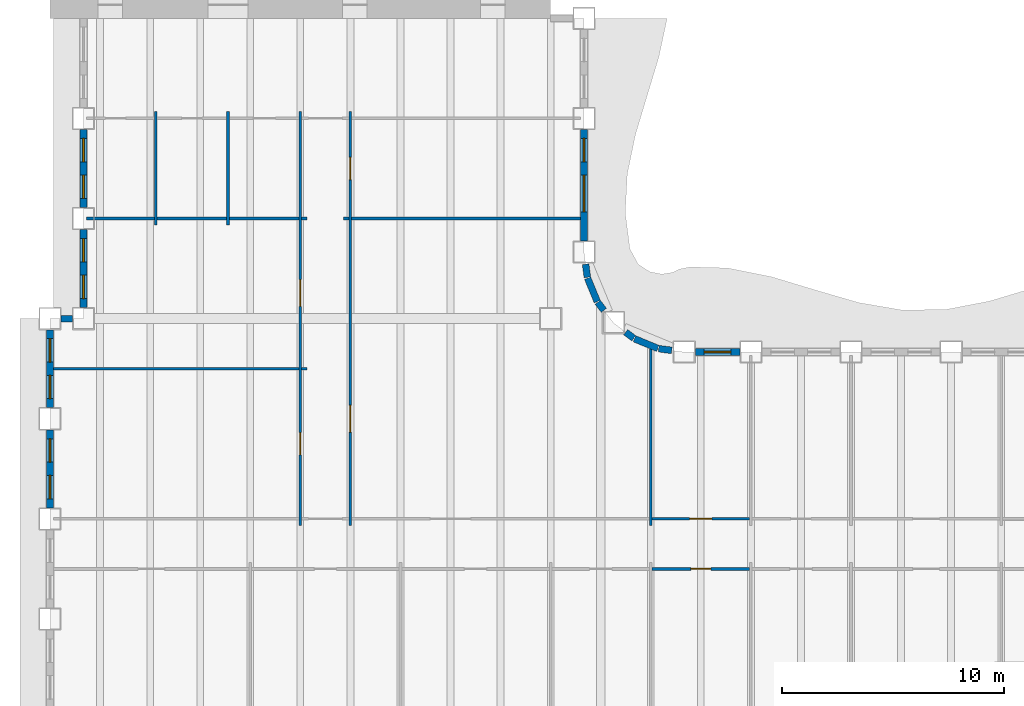
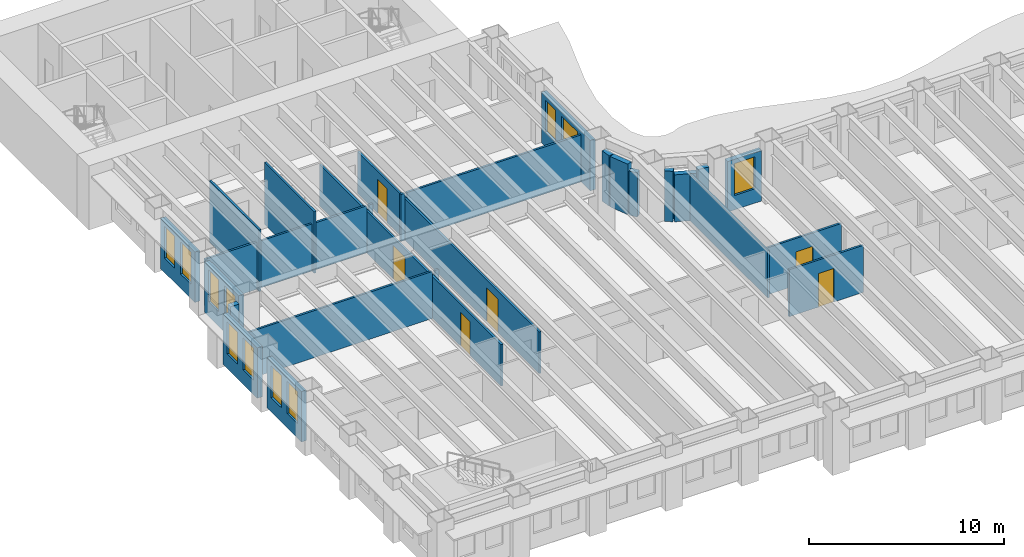
# One storey, part 4 of 16: 28 walls, 11 windows, 6 doors, 17 openings.
"""IFC4 building model written with IfcOpenShell, lengths in metres."""

from ifc_helpers import new_model, si_unit, direction, frame, frame_2d, origin, place, context, subcontext, project, spatial, rectangle, extrude, material, layer, layer_set, type_object, element, fill, save


model = new_model("IFC4")

# Units and contexts
model_context = context("Model", 3, precision=1e-05, world=origin(), true_north=direction((0.0, 1.0)))
body_context = subcontext(model_context, "Body", "Model", "MODEL_VIEW")
ifc_project = project(units=[si_unit("LENGTHUNIT", "METRE"), si_unit("AREAUNIT", "SQUARE_METRE"), si_unit("VOLUMEUNIT", "CUBIC_METRE"), si_unit("PLANEANGLEUNIT", "RADIAN"), si_unit("MASSUNIT", "GRAM", prefix="KILO")], contexts=[model_context])

# Site, building, storey
site_placement = place(None, origin())
site = spatial("IfcSite", under=ifc_project, at=site_placement, CompositionType="ELEMENT")
building_placement = place(site_placement, origin())
building = spatial("IfcBuilding", under=site, at=building_placement, Name="Sennacour Bend Tower", CompositionType="ELEMENT")
storey_placement = place(building_placement, frame((0.0, 0.0, 91.0)))
storey = spatial("IfcBuildingStorey", under=building, at=storey_placement, Name="L20", CompositionType="ELEMENT", Elevation=91.0)

# Walls
ifc_material_1 = material(Name="Plasterboard partition on steel studs", Category="steel")
ifc_layer_1 = layer(ifc_material_1, 0.1201171875, Name="Plasterboard partition on steel studs", Category="steel")
ifc_layer_set_1 = layer_set([ifc_layer_1], Name="Plasterboard partition on steel studs")
wall_type_1 = type_object("IfcWallType", Name="Partition 120", PredefinedType="PARTITIONING", material=ifc_layer_set_1)
for number, where, z_axis, x_axis, name in (
    (1, (4.75, 26.699951171875, 0.0), (0.0, 0.0, 1.0), (0.0, 1.0, 0.0), "P-L20-W007a"),
    (2, (8.0, 26.699951171875, 0.0), (0.0, 0.0, 1.0), (0.0, 1.0, 0.0), "P-L20-W009a"),
):
    element("IfcWall", number, at=place(storey_placement, frame(where, z_axis=z_axis, x_axis=x_axis)), inside=storey, type_object=wall_type_1, Name=name, PredefinedType="PARTITIONING", context=body_context, shape_type="SweptSolid", body=[
        extrude(rectangle(XDim=5.10009765625, YDim=0.1201171875, at=frame_2d((2.550048828125, 0.0))), origin(), (0.0, 0.0, 1.0), 3.85009765625),
    ])

# Wall, openings, doors
wall_1_placement = place(storey_placement, frame((11.25, 13.199951171875, 0.0), z_axis=(0.0, 0.0, 1.0), x_axis=(0.0, 1.0, 0.0)))
wall_1 = element("IfcWall", 3, at=wall_1_placement, inside=storey, type_object=wall_type_1, Name="P-L20-W014a", PredefinedType="PARTITIONING", context=body_context, shape_type="SweptSolid", body=[
    extrude(rectangle(XDim=18.60009765625, YDim=0.1201171875, at=frame_2d((9.300048828125, 0.0))), origin(), (0.0, 0.0, 1.0), 2.60009765625),
])
opening_1_placement = place(wall_1_placement, frame((3.175048828125, 0.0, 0.0)))
opening_1 = element("IfcOpeningElement", 4, at=opening_1_placement, cuts=wall_1, Name="Opening OD2", PredefinedType="OPENING", context=body_context, shape_type="SweptSolid", body=[
    extrude(rectangle(XDim=1.0, YDim=2.10009765625, at=frame_2d((0.5, 1.050048828125))), frame((0.0, 0.070068359375, 0.0), z_axis=(0.0, -1.0, 0.0), x_axis=(1.0, 0.0, 0.0)), (0.0, 0.0, 1.0), 0.14013671875),
])
opening_2_placement = place(wall_1_placement, frame((9.85498046875, 0.0, 0.0)))
opening_2 = element("IfcOpeningElement", 5, at=opening_2_placement, cuts=wall_1, Name="Opening MD", PredefinedType="OPENING", context=body_context, shape_type="SweptSolid", body=[
    extrude(rectangle(XDim=1.199951171875, YDim=2.10009765625, at=frame_2d((0.60009765625, 1.050048828125))), frame((0.0, 0.070068359375, 0.0), z_axis=(0.0, -1.0, 0.0), x_axis=(1.0, 0.0, 0.0)), (0.0, 0.0, 1.0), 0.14013671875),
])
ifc_material_2 = material(Name="Timber", Category="wood")
door_type_1 = type_object("IfcDoorType", Name="DR-MEETING-1200", OperationType="NOTDEFINED", PredefinedType="DOOR", material=ifc_material_2)
door_1_placement = place(opening_2_placement, origin())
door_1 = element("IfcDoor", 6, at=door_1_placement, inside=storey, type_object=door_type_1, Name="Door", OperationType="SINGLE_SWING_RIGHT", OverallHeight=2.10009765625, OverallWidth=1.199951171875, PredefinedType="DOOR", context=body_context, shape_type="SweptSolid", body=[
    extrude(rectangle(XDim=1.199951171875, YDim=2.10009765625, at=frame_2d((0.60009765625, 1.050048828125))), frame((0.0, 0.02490234375, 0.0), z_axis=(0.0, -1.0, 0.0), x_axis=(1.0, 0.0, 0.0)), (0.0, 0.0, 1.0), 0.050048828125),
])
fill(opening_2, door_1)
door_type_2 = type_object("IfcDoorType", Name="DR-OFFICE-1000", OperationType="NOTDEFINED", PredefinedType="DOOR", material=ifc_material_2)
door_2_placement = place(opening_1_placement, origin())
door_2 = element("IfcDoor", 7, at=door_2_placement, inside=storey, type_object=door_type_2, Name="Door", OperationType="SINGLE_SWING_LEFT", OverallHeight=2.10009765625, OverallWidth=1.0, PredefinedType="DOOR", context=body_context, shape_type="SweptSolid", body=[
    extrude(rectangle(XDim=1.0, YDim=2.10009765625, at=frame_2d((0.5, 1.050048828125))), frame((0.0, 0.02490234375, 0.0), z_axis=(0.0, -1.0, 0.0), x_axis=(1.0, 0.0, 0.0)), (0.0, 0.0, 1.0), 0.050048828125),
])
fill(opening_1, door_2)

wall_2_placement = place(storey_placement, frame((13.5, 13.199951171875, 0.0), z_axis=(0.0, 0.0, 1.0), x_axis=(0.0, 1.0, 0.0)))
wall_2 = element("IfcWall", 8, at=wall_2_placement, inside=storey, type_object=wall_type_1, Name="P-L20-W016a", PredefinedType="PARTITIONING", context=body_context, shape_type="SweptSolid", body=[
    extrude(rectangle(XDim=18.60009765625, YDim=0.1201171875, at=frame_2d((9.300048828125, 0.0))), origin(), (0.0, 0.0, 1.0), 2.60009765625),
])
opening_3_placement = place(wall_2_placement, frame((15.550048828125, 0.0, 0.0)))
opening_3 = element("IfcOpeningElement", 9, at=opening_3_placement, cuts=wall_2, Name="Opening OD2", PredefinedType="OPENING", context=body_context, shape_type="SweptSolid", body=[
    extrude(rectangle(XDim=1.0, YDim=2.10009765625, at=frame_2d((0.5, 1.050048828125))), frame((0.0, 0.070068359375, 0.0), z_axis=(0.0, -1.0, 0.0), x_axis=(1.0, 0.0, 0.0)), (0.0, 0.0, 1.0), 0.14013671875),
])
opening_4_placement = place(wall_2_placement, frame((4.199951171875, 0.0, 0.0)))
opening_4 = element("IfcOpeningElement", 10, at=opening_4_placement, cuts=wall_2, Name="Opening OD", PredefinedType="OPENING", context=body_context, shape_type="SweptSolid", body=[
    extrude(rectangle(XDim=1.199951171875, YDim=2.10009765625, at=frame_2d((0.60009765625, 1.050048828125))), frame((0.0, 0.070068359375, 0.0), z_axis=(0.0, -1.0, 0.0), x_axis=(1.0, 0.0, 0.0)), (0.0, 0.0, 1.0), 0.14013671875),
])
door_3_placement = place(opening_3_placement, origin())
door_3 = element("IfcDoor", 11, at=door_3_placement, inside=storey, type_object=door_type_2, Name="Door", OperationType="SINGLE_SWING_RIGHT", OverallHeight=2.10009765625, OverallWidth=1.0, PredefinedType="DOOR", context=body_context, shape_type="SweptSolid", body=[
    extrude(rectangle(XDim=1.0, YDim=2.10009765625, at=frame_2d((0.5, 1.050048828125))), frame((0.0, 0.02490234375, 0.0), z_axis=(0.0, -1.0, 0.0), x_axis=(1.0, 0.0, 0.0)), (0.0, 0.0, 1.0), 0.050048828125),
])
fill(opening_3, door_3)
door_type_3 = type_object("IfcDoorType", Name="DR-OFFICE-1200", OperationType="NOTDEFINED", PredefinedType="DOOR", material=ifc_material_2)
door_4_placement = place(opening_4_placement, origin())
door_4 = element("IfcDoor", 12, at=door_4_placement, inside=storey, type_object=door_type_3, Name="Door", OperationType="SINGLE_SWING_LEFT", OverallHeight=2.10009765625, OverallWidth=1.199951171875, PredefinedType="DOOR", context=body_context, shape_type="SweptSolid", body=[
    extrude(rectangle(XDim=1.199951171875, YDim=2.10009765625, at=frame_2d((0.60009765625, 1.050048828125))), frame((0.0, 0.02490234375, 0.0), z_axis=(0.0, -1.0, 0.0), x_axis=(1.0, 0.0, 0.0)), (0.0, 0.0, 1.0), 0.050048828125),
])
fill(opening_4, door_4)

# Wall
wall_3_placement = place(storey_placement, frame((27.0, 13.199951171875, 0.0), z_axis=(0.0, 0.0, 1.0), x_axis=(0.0, 1.0, 0.0)))
element("IfcWall", 13, at=wall_3_placement, inside=storey, type_object=wall_type_1, Name="P-L20-W027a", PredefinedType="PARTITIONING", context=body_context, shape_type="SweptSolid", body=[
    extrude(rectangle(XDim=7.929931640625, YDim=0.1201171875, at=frame_2d((3.96484375, 0.0))), origin(), (0.0, 0.0, 1.0), 2.93798828125),
])

# Wall, opening, door
wall_4_placement = place(storey_placement, frame((27.06005859375, 13.5, 0.0), z_axis=(0.0, 0.0, 1.0), x_axis=(1.0, 0.0, 0.0)))
wall_4 = element("IfcWall", 14, at=wall_4_placement, inside=storey, type_object=wall_type_1, Name="P-L20-W060ad", PredefinedType="PARTITIONING", context=body_context, shape_type="SweptSolid", body=[
    extrude(rectangle(XDim=4.3798828125, YDim=0.1201171875, at=frame_2d((2.18994140625, 0.0))), origin(), (0.0, 0.0, 1.0), 2.93798828125),
])
opening_5_placement = place(wall_4_placement, frame((1.68994140625, 0.0, 0.0)))
opening_5 = element("IfcOpeningElement", 15, at=opening_5_placement, cuts=wall_4, Name="Opening OD2", PredefinedType="OPENING", context=body_context, shape_type="SweptSolid", body=[
    extrude(rectangle(XDim=1.0, YDim=2.10009765625, at=frame_2d((0.5, 1.050048828125))), frame((0.0, 0.070068359375, 0.0), z_axis=(0.0, -1.0, 0.0), x_axis=(1.0, 0.0, 0.0)), (0.0, 0.0, 1.0), 0.14013671875),
])
door_5_placement = place(opening_5_placement, origin())
door_5 = element("IfcDoor", 16, at=door_5_placement, inside=storey, type_object=door_type_2, Name="Door", OperationType="SINGLE_SWING_LEFT", OverallHeight=2.10009765625, OverallWidth=1.0, PredefinedType="DOOR", context=body_context, shape_type="SweptSolid", body=[
    extrude(rectangle(XDim=1.0, YDim=2.10009765625, at=frame_2d((0.5, 1.050048828125))), frame((0.0, 0.02490234375, 0.0), z_axis=(0.0, -1.0, 0.0), x_axis=(1.0, 0.0, 0.0)), (0.0, 0.0, 1.0), 0.050048828125),
])
fill(opening_5, door_5)

# Walls
wall_5_placement = place(storey_placement, frame((0.14990234375, 20.25, 0.0), z_axis=(0.0, 0.0, 1.0), x_axis=(1.0, 0.0, 0.0)))
element("IfcWall", 17, at=wall_5_placement, inside=storey, type_object=wall_type_1, Name="P-L20-W067aa", PredefinedType="PARTITIONING", context=body_context, shape_type="SweptSolid", body=[
    extrude(rectangle(XDim=11.0400390625, YDim=0.1201171875, at=frame_2d((5.52001953125, 0.0))), origin(), (0.0, 0.0, 1.0), 2.93798828125),
])
wall_6_placement = place(storey_placement, frame((11.31005859375, 20.25, 0.0), z_axis=(0.0, 0.0, 1.0), x_axis=(1.0, 0.0, 0.0)))
element("IfcWall", 18, at=wall_6_placement, inside=storey, type_object=wall_type_1, Name="P-L20-W067ab", PredefinedType="PARTITIONING", context=body_context, shape_type="SweptSolid", body=[
    extrude(rectangle(XDim=0.239990234375, YDim=0.1201171875, at=frame_2d((0.1201171875, 0.0))), origin(), (0.0, 0.0, 1.0), 2.93798828125),
])
wall_7_placement = place(storey_placement, frame((1.64990234375, 27.0, 0.0), z_axis=(0.0, 0.0, 1.0), x_axis=(1.0, 0.0, 0.0)))
element("IfcWall", 19, at=wall_7_placement, inside=storey, type_object=wall_type_1, Name="P-L20-W070aa", PredefinedType="PARTITIONING", context=body_context, shape_type="SweptSolid", body=[
    extrude(rectangle(XDim=3.0400390625, YDim=0.1201171875, at=frame_2d((1.52001953125, 0.0))), origin(), (0.0, 0.0, 1.0), 2.93798828125),
])
for number, where, z_axis, x_axis, name in (
    (20, (4.81005859375, 27.0, 0.0), (0.0, 0.0, 1.0), (1.0, 0.0, 0.0), "P-L20-W070ab"),
    (21, (8.06005859375, 27.0, 0.0), (0.0, 0.0, 1.0), (1.0, 0.0, 0.0), "P-L20-W070ac"),
):
    element("IfcWall", number, at=place(storey_placement, frame(where, z_axis=z_axis, x_axis=x_axis)), inside=storey, type_object=wall_type_1, Name=name, PredefinedType="PARTITIONING", context=body_context, shape_type="SweptSolid", body=[
        extrude(rectangle(XDim=3.1298828125, YDim=0.1201171875, at=frame_2d((1.56494140625, 0.0))), origin(), (0.0, 0.0, 1.0), 2.93798828125),
    ])
for number, where, z_axis, x_axis, name in (
    (22, (11.31005859375, 27.0, 0.0), (0.0, 0.0, 1.0), (1.0, 0.0, 0.0), "P-L20-W070ad"),
    (23, (13.199951171875, 27.0, 0.0), (0.0, 0.0, 1.0), (1.0, 0.0, 0.0), "P-L20-W071aa"),
):
    element("IfcWall", number, at=place(storey_placement, frame(where, z_axis=z_axis, x_axis=x_axis)), inside=storey, type_object=wall_type_1, Name=name, PredefinedType="PARTITIONING", context=body_context, shape_type="SweptSolid", body=[
        extrude(rectangle(XDim=0.239990234375, YDim=0.1201171875, at=frame_2d((0.1201171875, 0.0))), origin(), (0.0, 0.0, 1.0), 2.93798828125),
    ])
wall_8_placement = place(storey_placement, frame((13.56005859375, 27.0, 0.0), z_axis=(0.0, 0.0, 1.0), x_axis=(1.0, 0.0, 0.0)))
element("IfcWall", 24, at=wall_8_placement, inside=storey, type_object=wall_type_1, Name="P-L20-W071ab", PredefinedType="PARTITIONING", context=body_context, shape_type="SweptSolid", body=[
    extrude(rectangle(XDim=10.2900390625, YDim=0.1201171875, at=frame_2d((5.14501953125, 0.0))), origin(), (0.0, 0.0, 1.0), 2.93798828125),
])

# Wall, opening, door
ifc_layer_2 = layer(ifc_material_1, 0.1201171875, Name="Plasterboard partition on steel studs", Category="steel")
ifc_layer_set_2 = layer_set([ifc_layer_2], Name="Plasterboard partition on steel studs")
wall_type_2 = type_object("IfcWallType", Name="Partition 120 EI 60", PredefinedType="PARTITIONING", material=ifc_layer_set_2)
wall_9_placement = place(storey_placement, frame((27.06005859375, 11.25, 0.0), z_axis=(0.0, 0.0, 1.0), x_axis=(1.0, 0.0, 0.0)))
wall_9 = element("IfcWall", 25, at=wall_9_placement, inside=storey, type_object=wall_type_2, Name="P-L20-W058ae", PredefinedType="PARTITIONING", context=body_context, shape_type="SweptSolid", body=[
    extrude(rectangle(XDim=4.3798828125, YDim=0.1201171875, at=frame_2d((2.18994140625, 0.0))), origin(), (0.0, 0.0, 1.0), 2.93798828125),
])
opening_6_placement = place(wall_9_placement, frame((1.739990234375, 0.0, 0.0)))
opening_6 = element("IfcOpeningElement", 26, at=opening_6_placement, cuts=wall_9, Name="Opening SV", PredefinedType="OPENING", context=body_context, shape_type="SweptSolid", body=[
    extrude(rectangle(XDim=0.89990234375, YDim=2.10009765625, at=frame_2d((0.449951171875, 1.050048828125))), frame((0.0, 0.070068359375, 0.0), z_axis=(0.0, -1.0, 0.0), x_axis=(1.0, 0.0, 0.0)), (0.0, 0.0, 1.0), 0.14013671875),
])
ifc_material_3 = material(Name="Painted steel", Category="steel")
door_type_4 = type_object("IfcDoorType", Name="DR-SERVICE-900", OperationType="NOTDEFINED", PredefinedType="DOOR", material=ifc_material_3)
door_6_placement = place(opening_6_placement, origin())
door_6 = element("IfcDoor", 27, at=door_6_placement, inside=storey, type_object=door_type_4, Name="Door", OperationType="SINGLE_SWING_LEFT", OverallHeight=2.10009765625, OverallWidth=0.89990234375, PredefinedType="DOOR", context=body_context, shape_type="SweptSolid", body=[
    extrude(rectangle(XDim=0.89990234375, YDim=2.10009765625, at=frame_2d((0.449951171875, 1.050048828125))), frame((0.0, 0.02490234375, 0.0), z_axis=(0.0, -1.0, 0.0), x_axis=(1.0, 0.0, 0.0)), (0.0, 0.0, 1.0), 0.050048828125),
])
fill(opening_6, door_6)

# Wall, opening, window
ifc_material_4 = material(Name="Warm limestone cladding", Category="masonry")
ifc_layer_3 = layer(ifc_material_4, 0.050048828125, Name="Warm limestone cladding", Category="masonry")
ifc_material_5 = material(Name="Precast concrete C40/50", Category="concrete")
ifc_layer_4 = layer(ifc_material_5, 0.25, Name="Precast concrete C40/50", Category="concrete")
ifc_layer_set_3 = layer_set([ifc_layer_3, ifc_layer_4], Name="Precast concrete C40/50 with limestone cladding")
wall_type_3 = type_object("IfcWallType", Name="STONE-CLAD PRECAST SPANDREL 300", PredefinedType="STANDARD", material=ifc_layer_set_3)
wall_10_placement = place(storey_placement, frame((31.0, 21.0, 0.0), z_axis=(0.0, 0.0, 1.0), x_axis=(-1.0, 0.0, 0.0)))
wall_10 = element("IfcWall", 28, at=wall_10_placement, inside=storey, type_object=wall_type_3, Name="Stone spandrel and pier wall L20 06.05", PredefinedType="STANDARD", context=body_context, shape_type="SweptSolid", body=[
    extrude(rectangle(XDim=2.0, YDim=0.300048828125, at=frame_2d((1.0, 0.0))), origin(), (0.0, 0.0, 1.0), 3.154052734375),
])
opening_7_placement = place(wall_10_placement, frame((0.39990234375, 0.0, 0.89990234375)))
opening_7 = element("IfcOpeningElement", 29, at=opening_7_placement, cuts=wall_10, Name="Opening W14", PredefinedType="OPENING", context=body_context, shape_type="SweptSolid", body=[
    extrude(rectangle(XDim=1.199951171875, YDim=2.0, at=frame_2d((0.60009765625, 1.0))), frame((0.0, 0.16015625, 0.0), z_axis=(0.0, -1.0, 0.0), x_axis=(1.0, 0.0, 0.0)), (0.0, 0.0, 1.0), 0.320068359375),
])
ifc_material_6 = material(Name="Clear low-emissivity glass", Category="glass")
window_type_1 = type_object("IfcWindowType", Name="WIN-RIBBON-1200x2000", PartitioningType="SINGLE_PANEL", PredefinedType="WINDOW", material=ifc_material_6)
window_1_placement = place(opening_7_placement, origin())
window_1 = element("IfcWindow", 30, at=window_1_placement, inside=storey, type_object=window_type_1, Name="Ribbon window L20 06.05", OverallHeight=2.0, OverallWidth=1.199951171875, PartitioningType="SINGLE_PANEL", PredefinedType="WINDOW", context=body_context, shape_type="SweptSolid", body=[
    extrude(rectangle(XDim=1.199951171875, YDim=2.0, at=frame_2d((0.60009765625, 1.0))), frame((0.0, 0.030029296875, 0.0), z_axis=(0.0, -1.0, 0.0), x_axis=(1.0, 0.0, 0.0)), (0.0, 0.0, 1.0), 0.06005859375),
])
fill(opening_7, window_1)

# Walls
wall_11_placement = place(storey_placement, frame((27.94384765625, 21.0732421875, 0.0), z_axis=(0.0, 0.0, 1.0), x_axis=(-0.991420685839, 0.130709692412, 0.0)))
element("IfcWall", 31, at=wall_11_placement, inside=storey, type_object=wall_type_3, Name="Stone spandrel and pier wall L20 07.00", PredefinedType="STANDARD", context=body_context, shape_type="SweptSolid", body=[
    extrude(rectangle(XDim=0.593994140625, YDim=0.300048828125, at=frame_2d((0.296875, 0.0))), origin(), (0.0, 0.0, 1.0), 3.154052734375),
])
wall_12_placement = place(storey_placement, frame((27.317138671875, 21.160888671875, 0.0), z_axis=(0.0, 0.0, 1.0), x_axis=(-0.923914616768, 0.382598720491, 0.0)))
element("IfcWall", 32, at=wall_12_placement, inside=storey, type_object=wall_type_3, Name="Stone spandrel and pier wall L20 08.00", PredefinedType="STANDARD", context=body_context, shape_type="SweptSolid", body=[
    extrude(rectangle(XDim=1.13525390625, YDim=0.300048828125, at=frame_2d((0.567626953125, 0.0))), origin(), (0.0, 0.0, 1.0), 2.93798828125),
])
wall_13_placement = place(storey_placement, frame((26.234375, 21.614990234375, 0.0), z_axis=(0.0, 0.0, 1.0), x_axis=(-0.793563062559, 0.608488016104, 0.0)))
element("IfcWall", 33, at=wall_13_placement, inside=storey, type_object=wall_type_3, Name="Stone spandrel and pier wall L20 09.00", PredefinedType="STANDARD", context=body_context, shape_type="SweptSolid", body=[
    extrude(rectangle(XDim=0.453857421875, YDim=0.300048828125, at=frame_2d((0.22705078125, 0.0))), origin(), (0.0, 0.0, 1.0), 3.154052734375),
])
wall_14_placement = place(storey_placement, frame((24.89111328125, 22.874267578125, 0.0), z_axis=(0.0, 0.0, 1.0), x_axis=(-0.608488016104, 0.793563062559, 0.0)))
element("IfcWall", 34, at=wall_14_placement, inside=storey, type_object=wall_type_3, Name="Stone spandrel and pier wall L20 10.00", PredefinedType="STANDARD", context=body_context, shape_type="SweptSolid", body=[
    extrude(rectangle(XDim=0.453857421875, YDim=0.300048828125, at=frame_2d((0.22705078125, 0.0))), origin(), (0.0, 0.0, 1.0), 2.760009765625),
])
wall_15_placement = place(storey_placement, frame((24.59521484375, 23.268310546875, 0.0), z_axis=(0.0, 0.0, 1.0), x_axis=(-0.382598720491, 0.923914616768, 0.0)))
element("IfcWall", 35, at=wall_15_placement, inside=storey, type_object=wall_type_3, Name="Stone spandrel and pier wall L20 11.00", PredefinedType="STANDARD", context=body_context, shape_type="SweptSolid", body=[
    extrude(rectangle(XDim=1.13525390625, YDim=0.300048828125, at=frame_2d((0.567626953125, 0.0))), origin(), (0.0, 0.0, 1.0), 3.154052734375),
])
wall_16_placement = place(storey_placement, frame((24.15087890625, 24.35498046875, 0.0), z_axis=(0.0, 0.0, 1.0), x_axis=(-0.130709692412, 0.991420685839, 0.0)))
element("IfcWall", 36, at=wall_16_placement, inside=storey, type_object=wall_type_3, Name="Stone spandrel and pier wall L20 12.00", PredefinedType="STANDARD", context=body_context, shape_type="SweptSolid", body=[
    extrude(rectangle(XDim=0.593994140625, YDim=0.300048828125, at=frame_2d((0.296875, 0.0))), origin(), (0.0, 0.0, 1.0), 3.154052734375),
])

# Wall, openings, windows
wall_17_placement = place(storey_placement, frame((24.0, 26.0, 0.0), z_axis=(0.0, 0.0, 1.0), x_axis=(0.0, 1.0, 0.0)))
wall_17 = element("IfcWall", 37, at=wall_17_placement, inside=storey, type_object=wall_type_3, Name="Stone spandrel and pier wall L20 13.00", PredefinedType="STANDARD", context=body_context, shape_type="SweptSolid", body=[
    extrude(rectangle(XDim=5.0, YDim=0.300048828125, at=frame_2d((2.5, 0.0))), origin(), (0.0, 0.0, 1.0), 3.154052734375),
])
opening_8_placement = place(wall_17_placement, frame((1.300048828125, 0.0, 0.89990234375)))
opening_8 = element("IfcOpeningElement", 38, at=opening_8_placement, cuts=wall_17, Name="Opening W10", PredefinedType="OPENING", context=body_context, shape_type="SweptSolid", body=[
    extrude(rectangle(XDim=1.64990234375, YDim=2.0, at=frame_2d((0.824951171875, 1.0))), frame((0.0, 0.16015625, 0.0), z_axis=(0.0, -1.0, 0.0), x_axis=(1.0, 0.0, 0.0)), (0.0, 0.0, 1.0), 0.320068359375),
])
opening_9_placement = place(wall_17_placement, frame((3.550048828125, 0.0, 0.89990234375)))
opening_9 = element("IfcOpeningElement", 39, at=opening_9_placement, cuts=wall_17, Name="Opening W13", PredefinedType="OPENING", context=body_context, shape_type="SweptSolid", body=[
    extrude(rectangle(XDim=1.050048828125, YDim=2.0, at=frame_2d((0.52490234375, 1.0))), frame((0.0, 0.16015625, 0.0), z_axis=(0.0, -1.0, 0.0), x_axis=(1.0, 0.0, 0.0)), (0.0, 0.0, 1.0), 0.320068359375),
])
window_type_2 = type_object("IfcWindowType", Name="WIN-RIBBON-1050x2000", PartitioningType="SINGLE_PANEL", PredefinedType="WINDOW", material=ifc_material_6)
window_2_placement = place(opening_9_placement, origin())
window_2 = element("IfcWindow", 40, at=window_2_placement, inside=storey, type_object=window_type_2, Name="Ribbon window L20 13.00.1", OverallHeight=2.0, OverallWidth=1.050048828125, PartitioningType="SINGLE_PANEL", PredefinedType="WINDOW", context=body_context, shape_type="SweptSolid", body=[
    extrude(rectangle(XDim=1.050048828125, YDim=2.0, at=frame_2d((0.52490234375, 1.0))), frame((0.0, 0.030029296875, 0.0), z_axis=(0.0, -1.0, 0.0), x_axis=(1.0, 0.0, 0.0)), (0.0, 0.0, 1.0), 0.06005859375),
])
fill(opening_9, window_2)
window_type_3 = type_object("IfcWindowType", Name="WIN-RIBBON-1650x2000", PartitioningType="SINGLE_PANEL", PredefinedType="WINDOW", material=ifc_material_6)
window_3_placement = place(opening_8_placement, origin())
window_3 = element("IfcWindow", 41, at=window_3_placement, inside=storey, type_object=window_type_3, Name="Ribbon window L20 13.00.0", OverallHeight=2.0, OverallWidth=1.64990234375, PartitioningType="SINGLE_PANEL", PredefinedType="WINDOW", context=body_context, shape_type="SweptSolid", body=[
    extrude(rectangle(XDim=1.64990234375, YDim=2.0, at=frame_2d((0.824951171875, 1.0))), frame((0.0, 0.030029296875, 0.0), z_axis=(0.0, -1.0, 0.0), x_axis=(1.0, 0.0, 0.0)), (0.0, 0.0, 1.0), 0.06005859375),
])
fill(opening_8, window_3)

wall_18_placement = place(storey_placement, frame((1.5, 31.0, 0.0), z_axis=(0.0, 0.0, 1.0), x_axis=(0.0, -1.0, 0.0)))
wall_18 = element("IfcWall", 42, at=wall_18_placement, inside=storey, type_object=wall_type_3, Name="Stone spandrel and pier wall L20 19.01", PredefinedType="STANDARD", context=body_context, shape_type="SweptSolid", body=[
    extrude(rectangle(XDim=3.5, YDim=0.300048828125, at=frame_2d((1.75, 0.0))), origin(), (0.0, 0.0, 1.0), 3.154052734375),
])
opening_10_placement = place(wall_18_placement, frame((0.39990234375, 0.0, 0.89990234375)))
opening_10 = element("IfcOpeningElement", 43, at=opening_10_placement, cuts=wall_18, Name="Opening W13", PredefinedType="OPENING", context=body_context, shape_type="SweptSolid", body=[
    extrude(rectangle(XDim=1.050048828125, YDim=2.0, at=frame_2d((0.52490234375, 1.0))), frame((0.0, 0.16015625, 0.0), z_axis=(0.0, -1.0, 0.0), x_axis=(1.0, 0.0, 0.0)), (0.0, 0.0, 1.0), 0.320068359375),
])
opening_11_placement = place(wall_18_placement, frame((2.050048828125, 0.0, 0.89990234375)))
opening_11 = element("IfcOpeningElement", 44, at=opening_11_placement, cuts=wall_18, Name="Opening W13", PredefinedType="OPENING", context=body_context, shape_type="SweptSolid", body=[
    extrude(rectangle(XDim=1.050048828125, YDim=2.0, at=frame_2d((0.52490234375, 1.0))), frame((0.0, 0.16015625, 0.0), z_axis=(0.0, -1.0, 0.0), x_axis=(1.0, 0.0, 0.0)), (0.0, 0.0, 1.0), 0.320068359375),
])
window_4_placement = place(opening_10_placement, origin())
window_4 = element("IfcWindow", 45, at=window_4_placement, inside=storey, type_object=window_type_2, Name="Ribbon window L20 19.01.0", OverallHeight=2.0, OverallWidth=1.050048828125, PartitioningType="SINGLE_PANEL", PredefinedType="WINDOW", context=body_context, shape_type="SweptSolid", body=[
    extrude(rectangle(XDim=1.050048828125, YDim=2.0, at=frame_2d((0.52490234375, 1.0))), frame((0.0, 0.030029296875, 0.0), z_axis=(0.0, -1.0, 0.0), x_axis=(1.0, 0.0, 0.0)), (0.0, 0.0, 1.0), 0.06005859375),
])
fill(opening_10, window_4)
window_5_placement = place(opening_11_placement, origin())
window_5 = element("IfcWindow", 46, at=window_5_placement, inside=storey, type_object=window_type_2, Name="Ribbon window L20 19.01.1", OverallHeight=2.0, OverallWidth=1.050048828125, PartitioningType="SINGLE_PANEL", PredefinedType="WINDOW", context=body_context, shape_type="SweptSolid", body=[
    extrude(rectangle(XDim=1.050048828125, YDim=2.0, at=frame_2d((0.52490234375, 1.0))), frame((0.0, 0.030029296875, 0.0), z_axis=(0.0, -1.0, 0.0), x_axis=(1.0, 0.0, 0.0)), (0.0, 0.0, 1.0), 0.06005859375),
])
fill(opening_11, window_5)

wall_19_placement = place(storey_placement, frame((1.5, 26.5, 0.0), z_axis=(0.0, 0.0, 1.0), x_axis=(0.0, -1.0, 0.0)))
wall_19 = element("IfcWall", 47, at=wall_19_placement, inside=storey, type_object=wall_type_3, Name="Stone spandrel and pier wall L20 19.02", PredefinedType="STANDARD", context=body_context, shape_type="SweptSolid", body=[
    extrude(rectangle(XDim=3.5, YDim=0.300048828125, at=frame_2d((1.75, 0.0))), origin(), (0.0, 0.0, 1.0), 3.154052734375),
])
opening_12_placement = place(wall_19_placement, frame((0.39990234375, 0.0, 0.89990234375)))
opening_12 = element("IfcOpeningElement", 48, at=opening_12_placement, cuts=wall_19, Name="Opening W13", PredefinedType="OPENING", context=body_context, shape_type="SweptSolid", body=[
    extrude(rectangle(XDim=1.050048828125, YDim=2.0, at=frame_2d((0.52490234375, 1.0))), frame((0.0, 0.16015625, 0.0), z_axis=(0.0, -1.0, 0.0), x_axis=(1.0, 0.0, 0.0)), (0.0, 0.0, 1.0), 0.320068359375),
])
opening_13_placement = place(wall_19_placement, frame((2.050048828125, 0.0, 0.89990234375)))
opening_13 = element("IfcOpeningElement", 49, at=opening_13_placement, cuts=wall_19, Name="Opening W13", PredefinedType="OPENING", context=body_context, shape_type="SweptSolid", body=[
    extrude(rectangle(XDim=1.050048828125, YDim=2.0, at=frame_2d((0.52490234375, 1.0))), frame((0.0, 0.16015625, 0.0), z_axis=(0.0, -1.0, 0.0), x_axis=(1.0, 0.0, 0.0)), (0.0, 0.0, 1.0), 0.320068359375),
])
window_6_placement = place(opening_12_placement, origin())
window_6 = element("IfcWindow", 50, at=window_6_placement, inside=storey, type_object=window_type_2, Name="Ribbon window L20 19.02.0", OverallHeight=2.0, OverallWidth=1.050048828125, PartitioningType="SINGLE_PANEL", PredefinedType="WINDOW", context=body_context, shape_type="SweptSolid", body=[
    extrude(rectangle(XDim=1.050048828125, YDim=2.0, at=frame_2d((0.52490234375, 1.0))), frame((0.0, 0.030029296875, 0.0), z_axis=(0.0, -1.0, 0.0), x_axis=(1.0, 0.0, 0.0)), (0.0, 0.0, 1.0), 0.06005859375),
])
fill(opening_12, window_6)
window_7_placement = place(opening_13_placement, origin())
window_7 = element("IfcWindow", 51, at=window_7_placement, inside=storey, type_object=window_type_2, Name="Ribbon window L20 19.02.1", OverallHeight=2.0, OverallWidth=1.050048828125, PartitioningType="SINGLE_PANEL", PredefinedType="WINDOW", context=body_context, shape_type="SweptSolid", body=[
    extrude(rectangle(XDim=1.050048828125, YDim=2.0, at=frame_2d((0.52490234375, 1.0))), frame((0.0, 0.030029296875, 0.0), z_axis=(0.0, -1.0, 0.0), x_axis=(1.0, 0.0, 0.0)), (0.0, 0.0, 1.0), 0.06005859375),
])
fill(opening_13, window_7)

# Wall
wall_20_placement = place(storey_placement, frame((1.0, 22.5, 0.0), z_axis=(0.0, 0.0, 1.0), x_axis=(-1.0, 0.0, 0.0)))
element("IfcWall", 52, at=wall_20_placement, inside=storey, type_object=wall_type_3, Name="Stone spandrel and pier wall L20 20.00", PredefinedType="STANDARD", context=body_context, shape_type="SweptSolid", body=[
    extrude(rectangle(XDim=0.5, YDim=0.300048828125, at=frame_2d((0.25, 0.0))), origin(), (0.0, 0.0, 1.0), 3.154052734375),
])

# Wall, openings, windows
wall_21_placement = place(storey_placement, frame((0.0, 22.0, 0.0), z_axis=(0.0, 0.0, 1.0), x_axis=(0.0, -1.0, 0.0)))
wall_21 = element("IfcWall", 53, at=wall_21_placement, inside=storey, type_object=wall_type_3, Name="Stone spandrel and pier wall L20 21.00", PredefinedType="STANDARD", context=body_context, shape_type="SweptSolid", body=[
    extrude(rectangle(XDim=3.5, YDim=0.300048828125, at=frame_2d((1.75, 0.0))), origin(), (0.0, 0.0, 1.0), 3.154052734375),
])
opening_14_placement = place(wall_21_placement, frame((0.39990234375, 0.0, 0.89990234375)))
opening_14 = element("IfcOpeningElement", 54, at=opening_14_placement, cuts=wall_21, Name="Opening W13", PredefinedType="OPENING", context=body_context, shape_type="SweptSolid", body=[
    extrude(rectangle(XDim=1.050048828125, YDim=2.0, at=frame_2d((0.52490234375, 1.0))), frame((0.0, 0.16015625, 0.0), z_axis=(0.0, -1.0, 0.0), x_axis=(1.0, 0.0, 0.0)), (0.0, 0.0, 1.0), 0.320068359375),
])
opening_15_placement = place(wall_21_placement, frame((2.050048828125, 0.0, 0.89990234375)))
opening_15 = element("IfcOpeningElement", 55, at=opening_15_placement, cuts=wall_21, Name="Opening W13", PredefinedType="OPENING", context=body_context, shape_type="SweptSolid", body=[
    extrude(rectangle(XDim=1.050048828125, YDim=2.0, at=frame_2d((0.52490234375, 1.0))), frame((0.0, 0.16015625, 0.0), z_axis=(0.0, -1.0, 0.0), x_axis=(1.0, 0.0, 0.0)), (0.0, 0.0, 1.0), 0.320068359375),
])
window_8_placement = place(opening_14_placement, origin())
window_8 = element("IfcWindow", 56, at=window_8_placement, inside=storey, type_object=window_type_2, Name="Ribbon window L20 21.00.0", OverallHeight=2.0, OverallWidth=1.050048828125, PartitioningType="SINGLE_PANEL", PredefinedType="WINDOW", context=body_context, shape_type="SweptSolid", body=[
    extrude(rectangle(XDim=1.050048828125, YDim=2.0, at=frame_2d((0.52490234375, 1.0))), frame((0.0, 0.030029296875, 0.0), z_axis=(0.0, -1.0, 0.0), x_axis=(1.0, 0.0, 0.0)), (0.0, 0.0, 1.0), 0.06005859375),
])
fill(opening_14, window_8)
window_9_placement = place(opening_15_placement, origin())
window_9 = element("IfcWindow", 57, at=window_9_placement, inside=storey, type_object=window_type_2, Name="Ribbon window L20 21.00.1", OverallHeight=2.0, OverallWidth=1.050048828125, PartitioningType="SINGLE_PANEL", PredefinedType="WINDOW", context=body_context, shape_type="SweptSolid", body=[
    extrude(rectangle(XDim=1.050048828125, YDim=2.0, at=frame_2d((0.52490234375, 1.0))), frame((0.0, 0.030029296875, 0.0), z_axis=(0.0, -1.0, 0.0), x_axis=(1.0, 0.0, 0.0)), (0.0, 0.0, 1.0), 0.06005859375),
])
fill(opening_15, window_9)

wall_22_placement = place(storey_placement, frame((0.0, 17.5, 0.0), z_axis=(0.0, 0.0, 1.0), x_axis=(0.0, -1.0, 0.0)))
wall_22 = element("IfcWall", 58, at=wall_22_placement, inside=storey, type_object=wall_type_3, Name="Stone spandrel and pier wall L20 21.01", PredefinedType="STANDARD", context=body_context, shape_type="SweptSolid", body=[
    extrude(rectangle(XDim=3.5, YDim=0.300048828125, at=frame_2d((1.75, 0.0))), origin(), (0.0, 0.0, 1.0), 3.154052734375),
])
opening_16_placement = place(wall_22_placement, frame((0.39990234375, 0.0, 0.89990234375)))
opening_16 = element("IfcOpeningElement", 59, at=opening_16_placement, cuts=wall_22, Name="Opening W13", PredefinedType="OPENING", context=body_context, shape_type="SweptSolid", body=[
    extrude(rectangle(XDim=1.050048828125, YDim=2.0, at=frame_2d((0.52490234375, 1.0))), frame((0.0, 0.16015625, 0.0), z_axis=(0.0, -1.0, 0.0), x_axis=(1.0, 0.0, 0.0)), (0.0, 0.0, 1.0), 0.320068359375),
])
opening_17_placement = place(wall_22_placement, frame((2.050048828125, 0.0, 0.89990234375)))
opening_17 = element("IfcOpeningElement", 60, at=opening_17_placement, cuts=wall_22, Name="Opening W13", PredefinedType="OPENING", context=body_context, shape_type="SweptSolid", body=[
    extrude(rectangle(XDim=1.050048828125, YDim=2.0, at=frame_2d((0.52490234375, 1.0))), frame((0.0, 0.16015625, 0.0), z_axis=(0.0, -1.0, 0.0), x_axis=(1.0, 0.0, 0.0)), (0.0, 0.0, 1.0), 0.320068359375),
])
window_10_placement = place(opening_16_placement, origin())
window_10 = element("IfcWindow", 61, at=window_10_placement, inside=storey, type_object=window_type_2, Name="Ribbon window L20 21.01.0", OverallHeight=2.0, OverallWidth=1.050048828125, PartitioningType="SINGLE_PANEL", PredefinedType="WINDOW", context=body_context, shape_type="SweptSolid", body=[
    extrude(rectangle(XDim=1.050048828125, YDim=2.0, at=frame_2d((0.52490234375, 1.0))), frame((0.0, 0.030029296875, 0.0), z_axis=(0.0, -1.0, 0.0), x_axis=(1.0, 0.0, 0.0)), (0.0, 0.0, 1.0), 0.06005859375),
])
fill(opening_16, window_10)
window_11_placement = place(opening_17_placement, origin())
window_11 = element("IfcWindow", 62, at=window_11_placement, inside=storey, type_object=window_type_2, Name="Ribbon window L20 21.01.1", OverallHeight=2.0, OverallWidth=1.050048828125, PartitioningType="SINGLE_PANEL", PredefinedType="WINDOW", context=body_context, shape_type="SweptSolid", body=[
    extrude(rectangle(XDim=1.050048828125, YDim=2.0, at=frame_2d((0.52490234375, 1.0))), frame((0.0, 0.030029296875, 0.0), z_axis=(0.0, -1.0, 0.0), x_axis=(1.0, 0.0, 0.0)), (0.0, 0.0, 1.0), 0.06005859375),
])
fill(opening_17, window_11)

save(model, "model.ifc")
